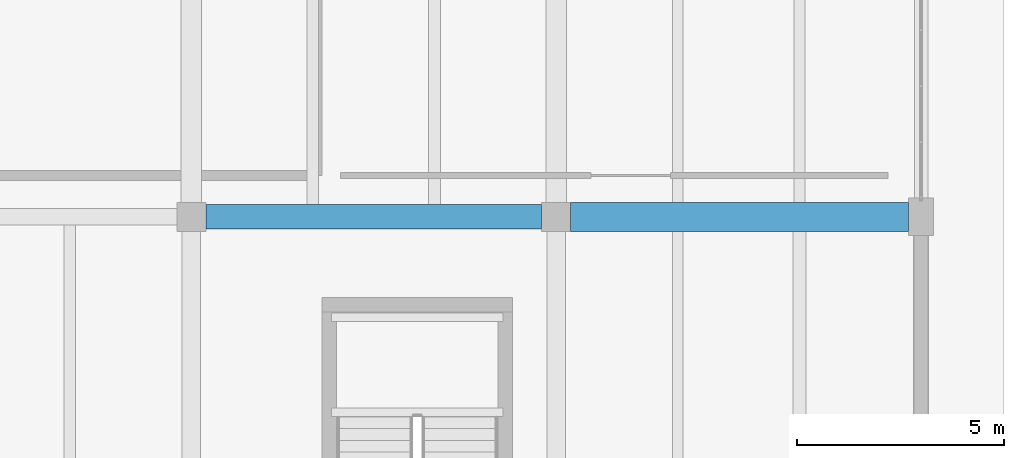
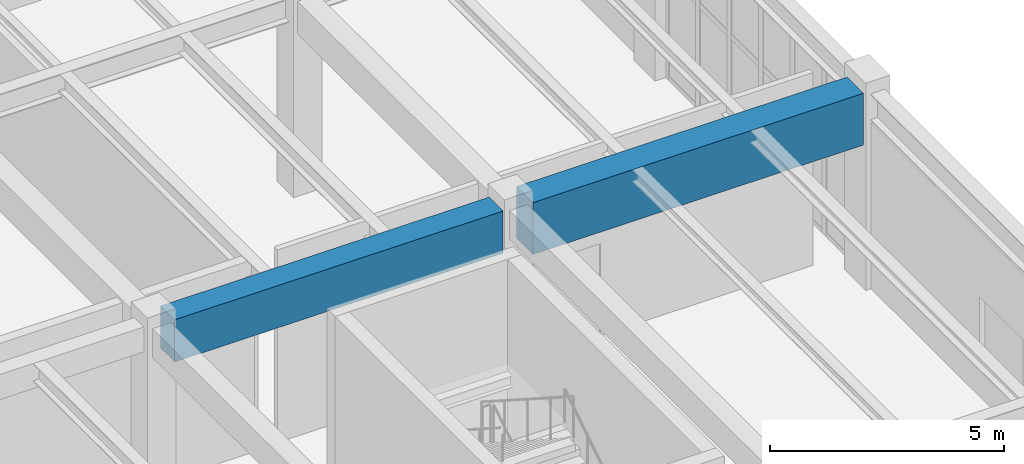
# One storey, part 55 of 91: 2 beams.
"""IFC4 building model written with IfcOpenShell, lengths in metres."""

from ifc_helpers import new_model, si_unit, direction, frame, origin, origin_2d, place, context, subcontext, project, spatial, rectangle, extrude, material, material_profile, profile_set, type_object, element, save


model = new_model("IFC4")

# Units and contexts
model_context = context("Model", 3, precision=1e-05, world=origin(), true_north=direction((0.0, 1.0)))
body_context = subcontext(model_context, "Body", "Model", "MODEL_VIEW")
ifc_project = project(units=[si_unit("LENGTHUNIT", "METRE"), si_unit("AREAUNIT", "SQUARE_METRE"), si_unit("VOLUMEUNIT", "CUBIC_METRE"), si_unit("PLANEANGLEUNIT", "RADIAN"), si_unit("MASSUNIT", "GRAM", prefix="KILO")], contexts=[model_context])

# Site, building, storey
site_placement = place(None, origin())
site = spatial("IfcSite", under=ifc_project, at=site_placement, CompositionType="ELEMENT")
building_placement = place(site_placement, origin())
building = spatial("IfcBuilding", under=site, at=building_placement, Name="Vaelkrest Opera House", CompositionType="ELEMENT")
storey_placement = place(building_placement, origin())
storey = spatial("IfcBuildingStorey", under=building, at=storey_placement, Name="L00", CompositionType="ELEMENT", Elevation=0.0)

# Beams
ifc_material = material(Name="Concrete C50/60", Category="concrete")
ifc_material_profile_1 = material_profile(ifc_material, rectangle(XDim=0.60009765625, YDim=1.10009765625, at=origin_2d()), Name="RCB600X1100")
ifc_profile_set_1 = profile_set([ifc_material_profile_1], Name="Concrete C50/60")
beam_type_1 = type_object("IfcBeamType", Name="B05", PredefinedType="BEAM", material=ifc_profile_set_1)
beam_1_placement = place(storey_placement, frame((69.14990234375, -7.800048828125, 4.530029296875), z_axis=(1.0, 0.0, 0.0), x_axis=(0.0, 1.0, 0.0)))
element("IfcBeam", 1, at=beam_1_placement, inside=storey, type_object=beam_type_1, Name="Beam BM-V4-L00-1966", PredefinedType="BEAM", context=body_context, shape_type="SweptSolid", body=[
    extrude(rectangle(XDim=0.60009765625, YDim=1.10009765625, at=origin_2d()), origin(), (0.0, 0.0, 1.0), 8.10009765625),
])
ifc_material_profile_2 = material_profile(ifc_material, rectangle(XDim=0.699951171875, YDim=1.35009765625, at=origin_2d()), Name="RCB700X1350")
ifc_profile_set_2 = profile_set([ifc_material_profile_2], Name="Concrete C50/60")
beam_type_2 = type_object("IfcBeamType", Name="B06", PredefinedType="BEAM", material=ifc_profile_set_2)
beam_2_placement = place(storey_placement, frame((77.949951171875, -7.800048828125, 4.405029296875), z_axis=(1.0, 0.0, 0.0), x_axis=(0.0, 1.0, 0.0)))
element("IfcBeam", 2, at=beam_2_placement, inside=storey, type_object=beam_type_2, Name="Beam BM-V4-L00-1967", PredefinedType="BEAM", context=body_context, shape_type="SweptSolid", body=[
    extrude(rectangle(XDim=0.699951171875, YDim=1.35009765625, at=origin_2d()), origin(), (0.0, 0.0, 1.0), 8.150146484375),
])

save(model, "model.ifc")
